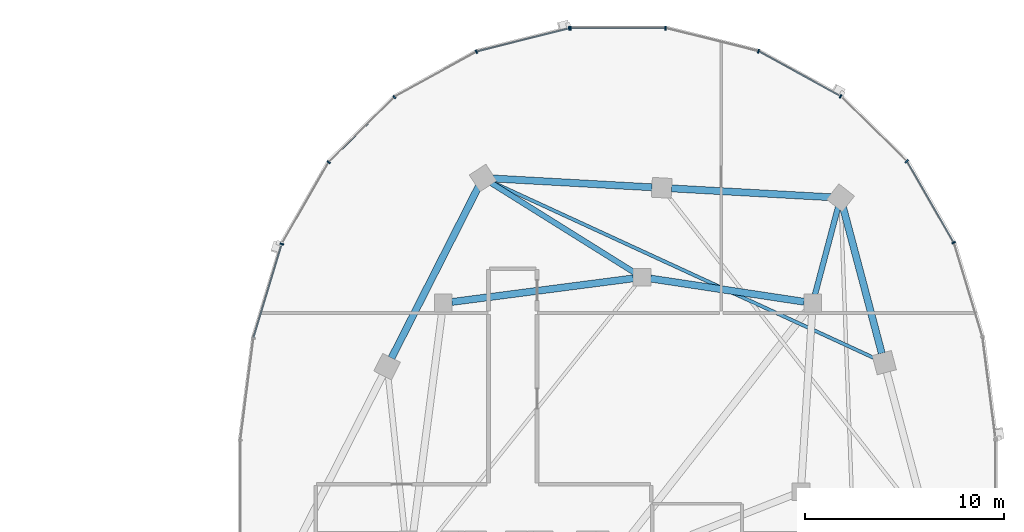
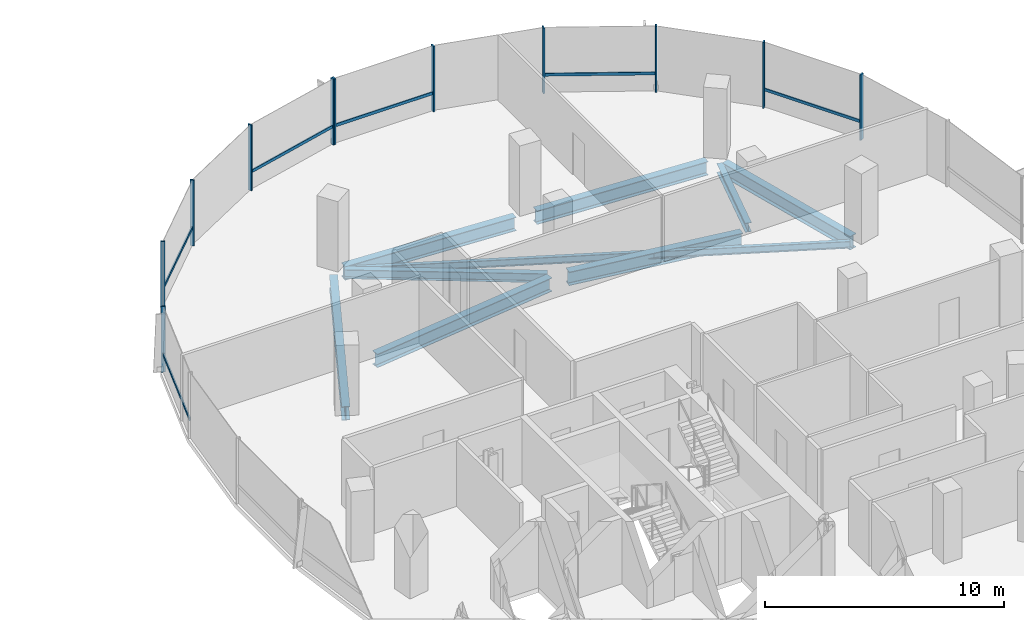
# One storey, part 9 of 22: 17 members, 9 beams, 2 elements without a shape of their own.
"""IFC4 building model written with IfcOpenShell, lengths in metres."""

from ifc_helpers import new_model, si_unit, direction, frame, origin, origin_2d, place, context, subcontext, project, spatial, rectangle, i_section, extrude, material, material_profile, profile_set, type_object, element, aggregate, save


model = new_model("IFC4")

# Units and contexts
model_context = context("Model", 3, precision=1e-05, world=origin(), true_north=direction((0.0, 1.0)))
body_context = subcontext(model_context, "Body", "Model", "MODEL_VIEW")
ifc_project = project(units=[si_unit("LENGTHUNIT", "METRE"), si_unit("AREAUNIT", "SQUARE_METRE"), si_unit("VOLUMEUNIT", "CUBIC_METRE"), si_unit("PLANEANGLEUNIT", "RADIAN"), si_unit("MASSUNIT", "GRAM", prefix="KILO"), si_unit("THERMODYNAMICTEMPERATUREUNIT", "KELVIN"), si_unit("POWERUNIT", "WATT")], contexts=[model_context])

# Site, building, storey
site_placement = place(None, origin())
site = spatial("IfcSite", under=ifc_project, at=site_placement, CompositionType="ELEMENT")
building_placement = place(site_placement, origin())
building = spatial("IfcBuilding", under=site, at=building_placement, Name="Cundina Bronze Exchange", CompositionType="ELEMENT")
storey_placement = place(building_placement, frame((0.0, 0.0, 151.199951171875)))
storey = spatial("IfcBuildingStorey", under=building, at=storey_placement, Name="L39", CompositionType="ELEMENT", Elevation=151.199951171875)

# Beams
ifc_material_1 = material(Name="Steel ASTM A992 Grade 50", Category="steel")
ifc_material_profile_1 = material_profile(ifc_material_1, i_section(OverallWidth=0.280029296875, OverallDepth=0.462890625, WebThickness=0.0107421875, FlangeThickness=0.017333984375, FilletRadius=0.011962890625, at=origin_2d()), Name="W18X76", Category="steel")
ifc_profile_set_1 = profile_set([ifc_material_profile_1], Name="Steel ASTM A992 Grade 50")
beam_type_1 = type_object("IfcBeamType", Name="BM-FLR-W18A", PredefinedType="BEAM", material=ifc_profile_set_1)
beam_1_placement = place(storey_placement, frame((41.911865234375, 9.923583984375, -0.471435546875), z_axis=(0.255413807463, 0.966831829719, 0.0), x_axis=(-0.966831829719, 0.255413807463, 0.0)))
element("IfcBeam", 1, at=beam_1_placement, inside=storey, type_object=beam_type_1, Name="L39 Leg E Chordal Floor Beam 10", PredefinedType="BEAM", context=body_context, shape_type="SweptSolid", body=[
    extrude(i_section(OverallWidth=0.280029296875, OverallDepth=0.462890625, WebThickness=0.0107421875, FlangeThickness=0.017333984375, FilletRadius=0.011962890625, at=origin_2d()), origin(), (0.0, 0.0, 1.0), 4.5556640625),
])
beam_2_placement = place(storey_placement, frame((32.82861328125, 11.031982421875, -0.471435546875), z_axis=(-0.847985407265, 0.530019574228, 0.0), x_axis=(-0.530019574228, -0.847985407265, 0.0)))
element("IfcBeam", 2, at=beam_2_placement, inside=storey, type_object=beam_type_1, Name="L39 Leg E Chordal Floor Beam 12", PredefinedType="BEAM", context=body_context, shape_type="SweptSolid", body=[
    extrude(i_section(OverallWidth=0.280029296875, OverallDepth=0.462890625, WebThickness=0.0107421875, FlangeThickness=0.017333984375, FilletRadius=0.011962890625, at=origin_2d()), origin(), (0.0, 0.0, 1.0), 8.50830078125),
])
ifc_material_profile_2 = material_profile(ifc_material_1, i_section(OverallWidth=0.172119140625, OverallDepth=0.35791015625, WebThickness=0.0078125, FlangeThickness=0.01318359375, FilletRadius=0.010009765625, at=origin_2d()), Name="W14X38", Category="steel")
ifc_profile_set_2 = profile_set([ifc_material_profile_2], Name="Steel ASTM A992 Grade 50")
beam_type_2 = type_object("IfcBeamType", Name="BM-JST-W14", PredefinedType="JOIST", material=ifc_profile_set_2)
beam_3_placement = place(storey_placement, frame((44.956787109375, 6.7041015625, -0.4189453125), z_axis=(-0.908353865734, 0.418202408655, 0.0), x_axis=(-0.418202408655, -0.908353865734, 0.0)))
element("IfcBeam", 3, at=beam_3_placement, inside=storey, type_object=beam_type_2, Name="L39 Leg E Lobe Floor Joist 09-12", PredefinedType="JOIST", context=body_context, shape_type="SweptSolid", body=[
    extrude(i_section(OverallWidth=0.172119140625, OverallDepth=0.35791015625, WebThickness=0.0078125, FlangeThickness=0.01318359375, FilletRadius=0.010009765625, at=origin_2d()), origin(), (0.0, 0.0, 1.0), 21.261962890625),
])
ifc_material_profile_3 = material_profile(ifc_material_1, i_section(OverallWidth=0.35498046875, OverallDepth=0.695068359375, WebThickness=0.015380859375, FlangeThickness=0.02490234375, FilletRadius=0.01806640625, at=origin_2d()), Name="W27X146", Category="steel")
ifc_profile_set_3 = profile_set([ifc_material_profile_3], Name="Steel ASTM A992 Grade 50")
beam_type_3 = type_object("IfcBeamType", Name="BM-RING-W27", PredefinedType="USERDEFINED", material=ifc_profile_set_3)
beam_4_placement = place(storey_placement, frame((41.366943359375, 9.5654296875, -0.58740234375), z_axis=(-0.988764903598, 0.149478979839, 0.0), x_axis=(-0.149478979839, -0.988764903598, 0.0)))
element("IfcBeam", 4, at=beam_4_placement, inside=storey, type_object=beam_type_3, Name="L39 E Inner Structural Ring Girder 05", ObjectType="GIRDER", PredefinedType="USERDEFINED", context=body_context, shape_type="SweptSolid", body=[
    extrude(i_section(OverallWidth=0.35498046875, OverallDepth=0.695068359375, WebThickness=0.015380859375, FlangeThickness=0.02490234375, FilletRadius=0.01806640625, at=origin_2d()), origin(), (0.0, 0.0, 1.0), 7.82177734375),
])
beam_5_placement = place(storey_placement, frame((32.765625, 10.743408203125, -0.58740234375), z_axis=(-0.991656498582, -0.128908451316, 0.0), x_axis=(0.128908451316, -0.991656498582, 0.0)))
element("IfcBeam", 5, at=beam_5_placement, inside=storey, type_object=beam_type_3, Name="L39 E Inner Structural Ring Girder 06", ObjectType="GIRDER", PredefinedType="USERDEFINED", context=body_context, shape_type="SweptSolid", body=[
    extrude(i_section(OverallWidth=0.35498046875, OverallDepth=0.695068359375, WebThickness=0.015380859375, FlangeThickness=0.02490234375, FilletRadius=0.01806640625, at=origin_2d()), origin(), (0.0, 0.0, 1.0), 9.208251953125),
])
beam_6_placement = place(storey_placement, frame((45.27490234375, 6.9716796875, -0.58740234375), z_axis=(-0.256210841755, 0.96662092082, 0.0), x_axis=(-0.96662092082, -0.256210841755, 0.0)))
element("IfcBeam", 6, at=beam_6_placement, inside=storey, type_object=beam_type_3, Name="L39 E Perimeter Ring Girder 09", ObjectType="GIRDER", PredefinedType="USERDEFINED", context=body_context, shape_type="SweptSolid", body=[
    extrude(i_section(OverallWidth=0.35498046875, OverallDepth=0.695068359375, WebThickness=0.015380859375, FlangeThickness=0.02490234375, FilletRadius=0.01806640625, at=origin_2d()), origin(), (0.0, 0.0, 1.0), 7.61083984375),
])
for number, where, z_axis, x_axis, name in (
    (7, (42.712890625, 14.8271484375, -0.58740234375), (-0.998460820451, 0.055461608559, 0.0), (-0.055461608559, -0.998460820451, 0.0), "L39 E Perimeter Ring Girder 10"),
    (8, (33.712890625, 15.3271484375, -0.58740234375), (-0.998460820451, 0.055461608559, 0.0), (-0.055461608559, -0.998460820451, 0.0), "L39 E Perimeter Ring Girder 11"),
):
    element("IfcBeam", number, at=place(storey_placement, frame(where, z_axis=z_axis, x_axis=x_axis)), inside=storey, type_object=beam_type_3, Name=name, ObjectType="GIRDER", PredefinedType="USERDEFINED", context=body_context, shape_type="SweptSolid", body=[
        extrude(i_section(OverallWidth=0.35498046875, OverallDepth=0.695068359375, WebThickness=0.015380859375, FlangeThickness=0.02490234375, FilletRadius=0.01806640625, at=origin_2d()), origin(), (0.0, 0.0, 1.0), 8.0380859375),
    ])
beam_7_placement = place(storey_placement, frame((24.97900390625, 15.364990234375, -0.58740234375), z_axis=(-0.452834585354, -0.891594548159, 0.0), x_axis=(0.891594548159, -0.452834585354, 0.0)))
element("IfcBeam", 9, at=beam_7_placement, inside=storey, type_object=beam_type_3, Name="L39 E Perimeter Ring Girder 12", ObjectType="GIRDER", PredefinedType="USERDEFINED", context=body_context, shape_type="SweptSolid", body=[
    extrude(i_section(OverallWidth=0.35498046875, OverallDepth=0.695068359375, WebThickness=0.015380859375, FlangeThickness=0.02490234375, FilletRadius=0.01806640625, at=origin_2d()), origin(), (0.0, 0.0, 1.0), 9.67919921875),
])

# Curtain wall, members
ifc_material_2 = material(Name="Anodised Bronze Aluminium 6063-T6", Category="aluminium")
curtain_wall_type = type_object("IfcCurtainWallType", Name="CWS-WST-PIN", PredefinedType="NOTDEFINED", material=ifc_material_2)
curtain_wall_1_placement = place(storey_placement, origin())
curtain_wall_1 = element("IfcCurtainWall", 10, at=curtain_wall_1_placement, inside=storey, type_object=curtain_wall_type, Name="L39 CW-04 Curtain Wall Run CWR-L39-E1", PredefinedType="NOTDEFINED")
ifc_material_profile_4 = material_profile(ifc_material_2, rectangle(XDim=0.070068359375, YDim=0.18994140625, at=origin_2d()), Name="AL70X190", Category="aluminium")
ifc_profile_set_4 = profile_set([ifc_material_profile_4], Name="Anodised Bronze Aluminium 6063-T6")
member_type_1 = type_object("IfcMemberType", Name="CWM-MUL-190", PredefinedType="MULLION", material=ifc_profile_set_4)
member_1_placement = place(storey_placement, frame((48.89794921875, 12.541259765625, 0.0), z_axis=(0.0, 0.0, 1.0), x_axis=(-0.498487739754, 0.866896748936, 0.0)))
member_1 = element("IfcMember", 11, at=member_1_placement, type_object=member_type_1, Name="CW-04 Mullion 3", PredefinedType="MULLION", context=body_context, shape_type="SweptSolid", body=[
    extrude(rectangle(XDim=0.070068359375, YDim=0.18994140625, at=origin_2d()), origin(), (0.0, 0.0, 1.0), 3.360107421875),
])
member_2_placement = place(storey_placement, frame((46.530517578125, 16.640380859375, 0.0), z_axis=(0.0, 0.0, 1.0), x_axis=(-0.712026045991, 0.702153052995, 0.0)))
member_2 = element("IfcMember", 12, at=member_2_placement, type_object=member_type_1, Name="CW-04 Mullion 4", PredefinedType="MULLION", context=body_context, shape_type="SweptSolid", body=[
    extrude(rectangle(XDim=0.070068359375, YDim=0.18994140625, at=origin_2d()), origin(), (0.0, 0.0, 1.0), 3.360107421875),
])
member_3_placement = place(storey_placement, frame((43.20654296875, 19.906005859375, 0.0), z_axis=(0.0, 0.0, 1.0), x_axis=(-0.875885937035, 0.482518212408, 0.0)))
member_3 = element("IfcMember", 13, at=member_3_placement, type_object=member_type_1, Name="CW-04 Mullion 5", PredefinedType="MULLION", context=body_context, shape_type="SweptSolid", body=[
    extrude(rectangle(XDim=0.070068359375, YDim=0.18994140625, at=origin_2d()), origin(), (0.0, 0.0, 1.0), 3.360107421875),
])
member_4_placement = place(storey_placement, frame((39.067626953125, 22.17626953125, 0.0), z_axis=(0.0, 0.0, 1.0), x_axis=(-0.970084240161, 0.242768546132, 0.0)))
member_4 = element("IfcMember", 14, at=member_4_placement, type_object=member_type_1, Name="CW-04 Mullion 6", PredefinedType="MULLION", context=body_context, shape_type="SweptSolid", body=[
    extrude(rectangle(XDim=0.070068359375, YDim=0.18994140625, at=origin_2d()), origin(), (0.0, 0.0, 1.0), 3.360107421875),
])
member_5_placement = place(storey_placement, frame((34.39404296875, 23.3369140625, 0.0), z_axis=(0.0, 0.0, 1.0), x_axis=(-1.0, 0.0, 0.0)))
member_5 = element("IfcMember", 15, at=member_5_placement, type_object=member_type_1, Name="CW-04 Mullion 7", PredefinedType="MULLION", context=body_context, shape_type="SweptSolid", body=[
    extrude(rectangle(XDim=0.070068359375, YDim=0.18994140625, at=origin_2d()), origin(), (0.0, 0.0, 1.0), 3.360107421875),
])
member_6_placement = place(storey_placement, frame((29.60595703125, 23.3369140625, 0.0), z_axis=(0.0, 0.0, 1.0), x_axis=(-1.0, 0.0, 0.0)))
member_6 = element("IfcMember", 16, at=member_6_placement, type_object=member_type_1, Name="CW-04 End Mullion", PredefinedType="MULLION", context=body_context, shape_type="SweptSolid", body=[
    extrude(rectangle(XDim=0.070068359375, YDim=0.18994140625, at=origin_2d()), origin(), (0.0, 0.0, 1.0), 3.360107421875),
])

curtain_wall_2_placement = place(storey_placement, origin())
curtain_wall_2 = element("IfcCurtainWall", 17, at=curtain_wall_2_placement, inside=storey, type_object=curtain_wall_type, Name="L39 CW-04 Curtain Wall Run CWR-L39-E2", PredefinedType="NOTDEFINED")
member_7_placement = place(storey_placement, frame((29.537353515625, 23.32861328125, 0.0), z_axis=(0.0, 0.0, 1.0), x_axis=(-0.970084240161, -0.242768546132, 0.0)))
member_7 = element("IfcMember", 18, at=member_7_placement, type_object=member_type_1, Name="CW-04 Mullion 1", PredefinedType="MULLION", context=body_context, shape_type="SweptSolid", body=[
    extrude(rectangle(XDim=0.070068359375, YDim=0.18994140625, at=origin_2d()), origin(), (0.0, 0.0, 1.0), 3.360107421875),
])
member_8_placement = place(storey_placement, frame((24.86962890625, 22.151611328125, 0.0), z_axis=(0.0, 0.0, 1.0), x_axis=(-0.875885937035, -0.482518212408, 0.0)))
member_8 = element("IfcMember", 19, at=member_8_placement, type_object=member_type_1, Name="CW-04 Mullion 2", PredefinedType="MULLION", context=body_context, shape_type="SweptSolid", body=[
    extrude(rectangle(XDim=0.070068359375, YDim=0.18994140625, at=origin_2d()), origin(), (0.0, 0.0, 1.0), 3.360107421875),
])
member_9_placement = place(storey_placement, frame((20.740966796875, 19.86669921875, 0.0), z_axis=(0.0, 0.0, 1.0), x_axis=(-0.712026045991, -0.702153052995, 0.0)))
member_9 = element("IfcMember", 20, at=member_9_placement, type_object=member_type_1, Name="CW-04 Mullion 3", PredefinedType="MULLION", context=body_context, shape_type="SweptSolid", body=[
    extrude(rectangle(XDim=0.070068359375, YDim=0.18994140625, at=origin_2d()), origin(), (0.0, 0.0, 1.0), 3.360107421875),
])
member_10_placement = place(storey_placement, frame((17.42919921875, 16.588134765625, 0.0), z_axis=(0.0, 0.0, 1.0), x_axis=(-0.498487739754, -0.866896748936, 0.0)))
member_10 = element("IfcMember", 21, at=member_10_placement, type_object=member_type_1, Name="CW-04 Mullion 4", PredefinedType="MULLION", context=body_context, shape_type="SweptSolid", body=[
    extrude(rectangle(XDim=0.070068359375, YDim=0.18994140625, at=origin_2d()), origin(), (0.0, 0.0, 1.0), 3.360107421875),
])
member_11_placement = place(storey_placement, frame((15.07373046875, 12.4755859375, 0.0), z_axis=(0.0, 0.0, 1.0), x_axis=(-0.290034140915, -0.957016299288, 0.0)))
member_11 = element("IfcMember", 22, at=member_11_placement, type_object=member_type_1, Name="CW-04 Mullion 5", PredefinedType="MULLION", context=body_context, shape_type="SweptSolid", body=[
    extrude(rectangle(XDim=0.070068359375, YDim=0.18994140625, at=origin_2d()), origin(), (0.0, 0.0, 1.0), 3.360107421875),
])

# Member
ifc_material_profile_5 = material_profile(ifc_material_2, rectangle(XDim=0.06494140625, YDim=0.14990234375, at=origin_2d()), Name="AL65X150", Category="aluminium")
ifc_profile_set_5 = profile_set([ifc_material_profile_5], Name="Anodised Bronze Aluminium 6063-T6")
member_type_2 = type_object("IfcMemberType", Name="CWM-TRN-150", PredefinedType="USERDEFINED", material=ifc_profile_set_5)
member_12_placement = place(storey_placement, frame((48.878662109375, 12.574462890625, 0.920166015625), z_axis=(-0.498479967047, 0.866901218394, 0.0), x_axis=(-0.866901218394, -0.498479967047, 0.0)))
member_12 = element("IfcMember", 23, at=member_12_placement, type_object=member_type_2, Name="CW-04 Spandrel Transom 3", ObjectType="TRANSOM", PredefinedType="USERDEFINED", context=body_context, shape_type="SweptSolid", body=[
    extrude(rectangle(XDim=0.06494140625, YDim=0.14990234375, at=origin_2d()), origin(), (0.0, 0.0, 1.0), 4.66845703125),
])

member_13_placement = place(storey_placement, frame((43.1728515625, 19.924560546875, 0.920166015625), z_axis=(-0.875878981549, 0.482530838062, 0.0), x_axis=(-0.482530838062, -0.875878981549, 0.0)))
member_13 = element("IfcMember", 24, at=member_13_placement, type_object=member_type_2, Name="CW-04 Spandrel Transom 5", ObjectType="TRANSOM", PredefinedType="USERDEFINED", context=body_context, shape_type="SweptSolid", body=[
    extrude(rectangle(XDim=0.06494140625, YDim=0.14990234375, at=origin_2d()), origin(), (0.0, 0.0, 1.0), 4.65380859375),
])

member_14_placement = place(storey_placement, frame((34.35546875, 23.3369140625, 0.920166015625), z_axis=(-1.0, 0.0, 0.0), x_axis=(0.0, -1.0, 0.0)))
member_14 = element("IfcMember", 25, at=member_14_placement, type_object=member_type_2, Name="CW-04 Spandrel Transom 7", ObjectType="TRANSOM", PredefinedType="USERDEFINED", context=body_context, shape_type="SweptSolid", body=[
    extrude(rectangle(XDim=0.06494140625, YDim=0.14990234375, at=origin_2d()), origin(), (0.0, 0.0, 1.0), 4.7109375),
])

aggregate(curtain_wall_1, [member_1, member_12, member_2, member_3, member_13, member_4, member_5, member_6, member_14])

member_15_placement = place(storey_placement, frame((29.5, 23.319091796875, 0.920166015625), z_axis=(-0.970100130035, -0.242705042606, 0.0), x_axis=(0.242705042606, -0.970100130035, 0.0)))
member_15 = element("IfcMember", 26, at=member_15_placement, type_object=member_type_2, Name="CW-04 Spandrel Transom 1", ObjectType="TRANSOM", PredefinedType="USERDEFINED", context=body_context, shape_type="SweptSolid", body=[
    extrude(rectangle(XDim=0.06494140625, YDim=0.14990234375, at=origin_2d()), origin(), (0.0, 0.0, 1.0), 4.746826171875),
])

member_16_placement = place(storey_placement, frame((20.71337890625, 19.839599609375, 0.920166015625), z_axis=(-0.712005023839, -0.702174370102, 0.0), x_axis=(0.702174370102, -0.712005023839, 0.0)))
member_16 = element("IfcMember", 27, at=member_16_placement, type_object=member_type_2, Name="CW-04 Spandrel Transom 3", ObjectType="TRANSOM", PredefinedType="USERDEFINED", context=body_context, shape_type="SweptSolid", body=[
    extrude(rectangle(XDim=0.06494140625, YDim=0.14990234375, at=origin_2d()), origin(), (0.0, 0.0, 1.0), 4.594482421875),
])

member_17_placement = place(storey_placement, frame((15.062744140625, 12.43896484375, 0.920166015625), z_axis=(-0.290051855969, -0.957010930371, 0.0), x_axis=(0.957010930371, -0.290051855969, 0.0)))
member_17 = element("IfcMember", 28, at=member_17_placement, type_object=member_type_2, Name="CW-04 Spandrel Transom 5", ObjectType="TRANSOM", PredefinedType="USERDEFINED", context=body_context, shape_type="SweptSolid", body=[
    extrude(rectangle(XDim=0.06494140625, YDim=0.14990234375, at=origin_2d()), origin(), (0.0, 0.0, 1.0), 4.876953125),
])

aggregate(curtain_wall_2, [member_7, member_15, member_8, member_9, member_16, member_10, member_11, member_17])

save(model, "model.ifc")
